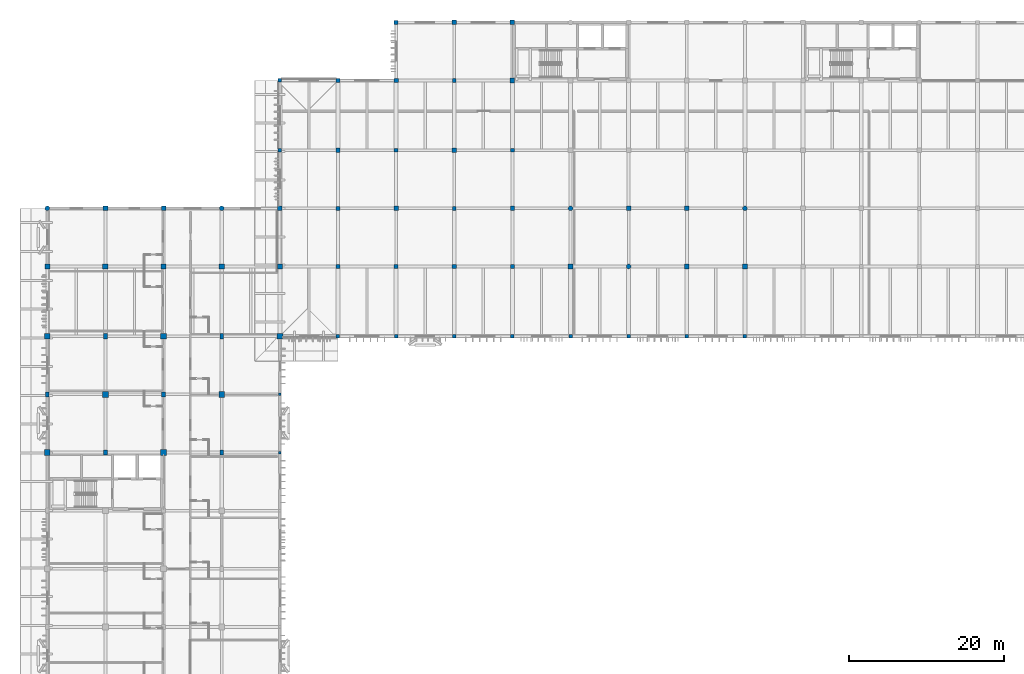
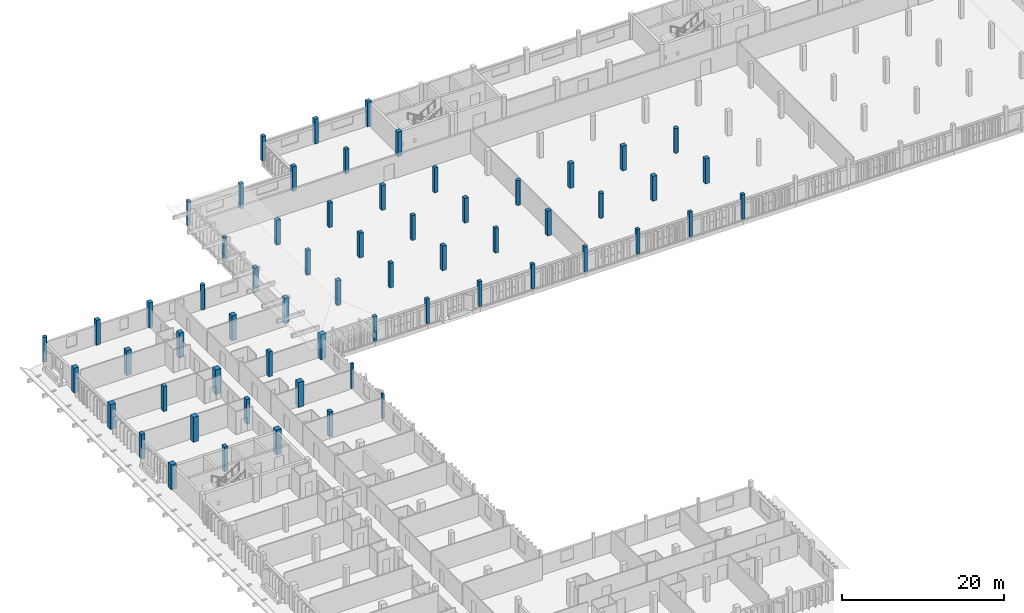
# One storey, part 4 of 43: 62 columns.
"""IFC4 building model written with IfcOpenShell, lengths in metres."""

from ifc_helpers import new_model, si_unit, direction, frame, origin, origin_2d, place, context, subcontext, project, spatial, rectangle, circle, extrude, material, material_profile, profile_set, type_object, element, save


model = new_model("IFC4")

# Units and contexts
model_context = context("Model", 3, precision=1e-05, world=origin(), true_north=direction((0.0, 1.0)))
body_context = subcontext(model_context, "Body", "Model", "MODEL_VIEW")
ifc_project = project(units=[si_unit("LENGTHUNIT", "METRE"), si_unit("AREAUNIT", "SQUARE_METRE"), si_unit("VOLUMEUNIT", "CUBIC_METRE"), si_unit("PLANEANGLEUNIT", "RADIAN"), si_unit("MASSUNIT", "GRAM", prefix="KILO")], contexts=[model_context])

# Site, building, storey
site_placement = place(None, origin())
site = spatial("IfcSite", under=ifc_project, at=site_placement, CompositionType="ELEMENT")
building_placement = place(site_placement, origin())
building = spatial("IfcBuilding", under=site, at=building_placement, Name="Dalvernix Boulevard General Hospital", CompositionType="ELEMENT")
storey_placement = place(building_placement, frame((0.0, 0.0, 14.10009765625)))
storey = spatial("IfcBuildingStorey", under=building, at=storey_placement, Name="L03", CompositionType="ELEMENT", Elevation=14.10009765625)

# Columns
ifc_material_1 = material(Name="Concrete C40/50", Category="concrete")
ifc_material_profile_1 = material_profile(ifc_material_1, rectangle(XDim=0.75, YDim=0.75, at=origin_2d()), Name="RC 750x750")
ifc_profile_set_1 = profile_set([ifc_material_profile_1], Name="Concrete C40/50")
column_type_1 = type_object("IfcColumnType", Name="COL-C-04-E", PredefinedType="COLUMN", material=ifc_profile_set_1)
for number, where, z_axis, x_axis, name in (
    (1, (0.0, 61.5, 0.0), (0.0, 0.0, 1.0), (1.0, 0.0, 0.0), "L03 column 1J"),
    (2, (0.0, 76.5, 0.0), (0.0, 0.0, 1.0), (1.0, 0.0, 0.0), "L03 column 1L"),
    (3, (30.0, 76.5, 0.0), (0.0, 0.0, 1.0), (1.0, 0.0, 0.0), "L03 column 5L"),
):
    element("IfcColumn", number, at=place(storey_placement, frame(where, z_axis=z_axis, x_axis=x_axis)), inside=storey, type_object=column_type_1, Name=name, PredefinedType="COLUMN", context=body_context, shape_type="SweptSolid", body=[
        extrude(rectangle(XDim=0.75, YDim=0.75, at=origin_2d()), origin(), (0.0, 0.0, 1.0), 3.75),
    ])
ifc_material_profile_2 = material_profile(ifc_material_1, rectangle(XDim=0.75, YDim=0.75, at=origin_2d()), Name="RC 750x750")
ifc_profile_set_2 = profile_set([ifc_material_profile_2], Name="Concrete C40/50")
column_type_2 = type_object("IfcColumnType", Name="COL-C-04-I", PredefinedType="COLUMN", material=ifc_profile_set_2)
for number, where, z_axis, x_axis, name in (
    (4, (7.5, 69.0, 0.0), (0.0, 0.0, 1.0), (1.0, 0.0, 0.0), "L03 column 2K"),
    (5, (15.0, 61.5, 0.0), (0.0, 0.0, 1.0), (1.0, 0.0, 0.0), "L03 column 3J"),
    (6, (15.0, 76.5, 0.0), (0.0, 0.0, 1.0), (1.0, 0.0, 0.0), "L03 column 3L"),
    (7, (22.5, 69.0, 0.0), (0.0, 0.0, 1.0), (1.0, 0.0, 0.0), "L03 column 4K"),
):
    element("IfcColumn", number, at=place(storey_placement, frame(where, z_axis=z_axis, x_axis=x_axis)), inside=storey, type_object=column_type_2, Name=name, PredefinedType="COLUMN", context=body_context, shape_type="SweptSolid", body=[
        extrude(rectangle(XDim=0.75, YDim=0.75, at=origin_2d()), origin(), (0.0, 0.0, 1.0), 3.75),
    ])
ifc_material_profile_3 = material_profile(ifc_material_1, rectangle(XDim=0.699951171875, YDim=0.699951171875, at=origin_2d()), Name="RC 700x700")
ifc_profile_set_3 = profile_set([ifc_material_profile_3], Name="Concrete C40/50")
column_type_3 = type_object("IfcColumnType", Name="COL-C-05-I", PredefinedType="COLUMN", material=ifc_profile_set_3)
for number, where, z_axis, x_axis, name in (
    (8, (7.5, 85.5, 0.0), (0.0, 0.0, 1.0), (1.0, 0.0, 0.0), "L03 column 2M"),
    (9, (22.5, 85.5, 0.0), (0.0, 0.0, 1.0), (1.0, 0.0, 0.0), "L03 column 4M"),
):
    element("IfcColumn", number, at=place(storey_placement, frame(where, z_axis=z_axis, x_axis=x_axis)), inside=storey, type_object=column_type_3, Name=name, PredefinedType="COLUMN", context=body_context, shape_type="SweptSolid", body=[
        extrude(rectangle(XDim=0.699951171875, YDim=0.699951171875, at=origin_2d()), origin(), (0.0, 0.0, 1.0), 3.75),
    ])
ifc_material_profile_4 = material_profile(ifc_material_1, rectangle(XDim=0.64990234375, YDim=0.64990234375, at=origin_2d()), Name="RC 650x650")
ifc_profile_set_4 = profile_set([ifc_material_profile_4], Name="Concrete C40/50")
column_type_4 = type_object("IfcColumnType", Name="COL-C-06-E", PredefinedType="COLUMN", material=ifc_profile_set_4)
column_1_placement = place(storey_placement, frame((0.0, 85.5, 0.0), z_axis=(0.0, 0.0, 1.0), x_axis=(1.0, 0.0, 0.0)))
element("IfcColumn", 10, at=column_1_placement, inside=storey, type_object=column_type_4, Name="L03 column 1M", PredefinedType="COLUMN", context=body_context, shape_type="SweptSolid", body=[
    extrude(rectangle(XDim=0.64990234375, YDim=0.64990234375, at=origin_2d()), origin(), (0.0, 0.0, 1.0), 3.75),
])
ifc_material_profile_5 = material_profile(ifc_material_1, rectangle(XDim=0.64990234375, YDim=0.64990234375, at=origin_2d()), Name="RC 650x650")
ifc_profile_set_5 = profile_set([ifc_material_profile_5], Name="Concrete C40/50")
column_type_5 = type_object("IfcColumnType", Name="COL-C-06-I", PredefinedType="COLUMN", material=ifc_profile_set_5)
for number, where, z_axis, x_axis, name in (
    (11, (15.0, 85.5, 0.0), (0.0, 0.0, 1.0), (1.0, 0.0, 0.0), "L03 column 3M"),
    (12, (30.0, 85.5, 0.0), (0.0, 0.0, 1.0), (1.0, 0.0, 0.0), "L03 column 5M"),
):
    element("IfcColumn", number, at=place(storey_placement, frame(where, z_axis=z_axis, x_axis=x_axis)), inside=storey, type_object=column_type_5, Name=name, PredefinedType="COLUMN", context=body_context, shape_type="SweptSolid", body=[
        extrude(rectangle(XDim=0.64990234375, YDim=0.64990234375, at=origin_2d()), origin(), (0.0, 0.0, 1.0), 3.75),
    ])
ifc_material_profile_6 = material_profile(ifc_material_1, rectangle(XDim=0.60009765625, YDim=0.60009765625, at=origin_2d()), Name="RC 600x600")
ifc_profile_set_6 = profile_set([ifc_material_profile_6], Name="Concrete C40/50")
column_type_6 = type_object("IfcColumnType", Name="COL-C-07-E", PredefinedType="COLUMN", material=ifc_profile_set_6)
for number, where, z_axis, x_axis, name in (
    (13, (7.5, 93.0, 0.0), (0.0, 0.0, 1.0), (1.0, 0.0, 0.0), "L03 column 2N"),
    (14, (15.0, 93.0, 0.0), (0.0, 0.0, 1.0), (1.0, 0.0, 0.0), "L03 column 3N"),
    (15, (30.0, 93.0, 0.0), (0.0, 0.0, 1.0), (1.0, 0.0, 0.0), "L03 column 5N"),
    (16, (60.0, 117.0, 0.0), (0.0, 0.0, 1.0), (1.0, 0.0, 0.0), "L03 column 9R"),
):
    element("IfcColumn", number, at=place(storey_placement, frame(where, z_axis=z_axis, x_axis=x_axis)), inside=storey, type_object=column_type_6, Name=name, PredefinedType="COLUMN", context=body_context, shape_type="SweptSolid", body=[
        extrude(rectangle(XDim=0.60009765625, YDim=0.60009765625, at=origin_2d()), origin(), (0.0, 0.0, 1.0), 3.75),
    ])
ifc_material_profile_7 = material_profile(ifc_material_1, rectangle(XDim=0.60009765625, YDim=0.60009765625, at=origin_2d()), Name="RC 600x600")
ifc_profile_set_7 = profile_set([ifc_material_profile_7], Name="Concrete C40/50")
column_type_7 = type_object("IfcColumnType", Name="COL-C-07-I", PredefinedType="COLUMN", material=ifc_profile_set_7)
for number, where, z_axis, x_axis, name in (
    (17, (60.0, 109.5, 0.0), (0.0, 0.0, 1.0), (1.0, 0.0, 0.0), "L03 column 9Q"),
    (18, (67.5, 85.5, 0.0), (0.0, 0.0, 1.0), (1.0, 0.0, 0.0), "L03 column 10M"),
    (19, (75.0, 93.0, 0.0), (0.0, 0.0, 1.0), (1.0, 0.0, 0.0), "L03 column 11N"),
    (20, (82.5, 85.5, 0.0), (0.0, 0.0, 1.0), (1.0, 0.0, 0.0), "L03 column 12M"),
    (21, (82.5, 93.0, 0.0), (0.0, 0.0, 1.0), (1.0, 0.0, 0.0), "L03 column 12N"),
    (22, (90.0, 85.5, 0.0), (0.0, 0.0, 1.0), (1.0, 0.0, 0.0), "L03 column 13M"),
):
    element("IfcColumn", number, at=place(storey_placement, frame(where, z_axis=z_axis, x_axis=x_axis)), inside=storey, type_object=column_type_7, Name=name, PredefinedType="COLUMN", context=body_context, shape_type="SweptSolid", body=[
        extrude(rectangle(XDim=0.60009765625, YDim=0.60009765625, at=origin_2d()), origin(), (0.0, 0.0, 1.0), 3.75),
    ])
ifc_material_profile_8 = material_profile(ifc_material_1, rectangle(XDim=0.550048828125, YDim=0.550048828125, at=origin_2d()), Name="RC 550x550")
ifc_profile_set_8 = profile_set([ifc_material_profile_8], Name="Concrete C40/50")
column_type_8 = type_object("IfcColumnType", Name="COL-C-08-E", PredefinedType="COLUMN", material=ifc_profile_set_8)
for number, where, z_axis, x_axis, name in (
    (23, (45.0, 109.5, 0.0), (0.0, 0.0, 1.0), (1.0, 0.0, 0.0), "L03 column 7Q"),
    (24, (52.5, 117.0, 0.0), (0.0, 0.0, 1.0), (1.0, 0.0, 0.0), "L03 column 8R"),
):
    element("IfcColumn", number, at=place(storey_placement, frame(where, z_axis=z_axis, x_axis=x_axis)), inside=storey, type_object=column_type_8, Name=name, PredefinedType="COLUMN", context=body_context, shape_type="SweptSolid", body=[
        extrude(rectangle(XDim=0.550048828125, YDim=0.550048828125, at=origin_2d()), origin(), (0.0, 0.0, 1.0), 3.75),
    ])
ifc_material_profile_9 = material_profile(ifc_material_1, rectangle(XDim=0.550048828125, YDim=0.550048828125, at=origin_2d()), Name="RC 550x550")
ifc_profile_set_9 = profile_set([ifc_material_profile_9], Name="Concrete C40/50")
column_type_9 = type_object("IfcColumnType", Name="COL-C-08-I", PredefinedType="COLUMN", material=ifc_profile_set_9)
for number, where, z_axis, x_axis, name in (
    (25, (37.5, 85.5, 0.0), (0.0, 0.0, 1.0), (1.0, 0.0, 0.0), "L03 column 6M"),
    (26, (37.5, 100.5, 0.0), (0.0, 0.0, 1.0), (1.0, 0.0, 0.0), "L03 column 6P"),
    (27, (45.0, 93.0, 0.0), (0.0, 0.0, 1.0), (1.0, 0.0, 0.0), "L03 column 7N"),
    (28, (52.5, 85.5, 0.0), (0.0, 0.0, 1.0), (1.0, 0.0, 0.0), "L03 column 8M"),
    (29, (52.5, 100.5, 0.0), (0.0, 0.0, 1.0), (1.0, 0.0, 0.0), "L03 column 8P"),
    (30, (60.0, 93.0, 0.0), (0.0, 0.0, 1.0), (1.0, 0.0, 0.0), "L03 column 9N"),
):
    element("IfcColumn", number, at=place(storey_placement, frame(where, z_axis=z_axis, x_axis=x_axis)), inside=storey, type_object=column_type_9, Name=name, PredefinedType="COLUMN", context=body_context, shape_type="SweptSolid", body=[
        extrude(rectangle(XDim=0.550048828125, YDim=0.550048828125, at=origin_2d()), origin(), (0.0, 0.0, 1.0), 3.75),
    ])
ifc_material_profile_10 = material_profile(ifc_material_1, rectangle(XDim=0.5, YDim=0.5, at=origin_2d()), Name="RC 500x500")
ifc_profile_set_10 = profile_set([ifc_material_profile_10], Name="Concrete C40/50")
column_type_10 = type_object("IfcColumnType", Name="COL-C-09-E", PredefinedType="COLUMN", material=ifc_profile_set_10)
for number, where, z_axis, x_axis, name in (
    (31, (37.5, 109.5, 0.0), (0.0, 0.0, 1.0), (1.0, 0.0, 0.0), "L03 column 6Q"),
    (32, (45.0, 117.0, 0.0), (0.0, 0.0, 1.0), (1.0, 0.0, 0.0), "L03 column 7R"),
):
    element("IfcColumn", number, at=place(storey_placement, frame(where, z_axis=z_axis, x_axis=x_axis)), inside=storey, type_object=column_type_10, Name=name, PredefinedType="COLUMN", context=body_context, shape_type="SweptSolid", body=[
        extrude(rectangle(XDim=0.5, YDim=0.5, at=origin_2d()), origin(), (0.0, 0.0, 1.0), 3.75),
    ])
ifc_material_profile_11 = material_profile(ifc_material_1, rectangle(XDim=0.5, YDim=0.5, at=origin_2d()), Name="RC 500x500")
ifc_profile_set_11 = profile_set([ifc_material_profile_11], Name="Concrete C40/50")
column_type_11 = type_object("IfcColumnType", Name="COL-C-09-I", PredefinedType="COLUMN", material=ifc_profile_set_11)
for number, where, z_axis, x_axis, name in (
    (33, (37.5, 93.0, 0.0), (0.0, 0.0, 1.0), (1.0, 0.0, 0.0), "L03 column 6N"),
    (34, (45.0, 85.5, 0.0), (0.0, 0.0, 1.0), (1.0, 0.0, 0.0), "L03 column 7M"),
    (35, (45.0, 100.5, 0.0), (0.0, 0.0, 1.0), (1.0, 0.0, 0.0), "L03 column 7P"),
    (36, (52.5, 93.0, 0.0), (0.0, 0.0, 1.0), (1.0, 0.0, 0.0), "L03 column 8N"),
    (37, (52.5, 109.5, 0.0), (0.0, 0.0, 1.0), (1.0, 0.0, 0.0), "L03 column 8Q"),
    (38, (60.0, 85.5, 0.0), (0.0, 0.0, 1.0), (1.0, 0.0, 0.0), "L03 column 9M"),
    (39, (60.0, 100.5, 0.0), (0.0, 0.0, 1.0), (1.0, 0.0, 0.0), "L03 column 9P"),
):
    element("IfcColumn", number, at=place(storey_placement, frame(where, z_axis=z_axis, x_axis=x_axis)), inside=storey, type_object=column_type_11, Name=name, PredefinedType="COLUMN", context=body_context, shape_type="SweptSolid", body=[
        extrude(rectangle(XDim=0.5, YDim=0.5, at=origin_2d()), origin(), (0.0, 0.0, 1.0), 3.75),
    ])
ifc_material_profile_12 = material_profile(ifc_material_1, rectangle(XDim=0.449951171875, YDim=0.449951171875, at=origin_2d()), Name="RC 450x450")
ifc_profile_set_12 = profile_set([ifc_material_profile_12], Name="Concrete C40/50")
column_type_12 = type_object("IfcColumnType", Name="COL-C-10-E", PredefinedType="COLUMN", material=ifc_profile_set_12)
for number, where, z_axis, x_axis, name in (
    (40, (30.0, 100.5, 0.0), (0.0, 0.0, 1.0), (1.0, 0.0, 0.0), "L03 column 5P"),
    (41, (30.0, 109.5, 0.0), (0.0, 0.0, 1.0), (1.0, 0.0, 0.0), "L03 column 5Q"),
    (42, (37.5, 76.5, 0.0), (0.0, 0.0, 1.0), (1.0, 0.0, 0.0), "L03 column 6L"),
    (43, (45.0, 76.5, 0.0), (0.0, 0.0, 1.0), (1.0, 0.0, 0.0), "L03 column 7L"),
    (44, (52.5, 76.5, 0.0), (0.0, 0.0, 1.0), (1.0, 0.0, 0.0), "L03 column 8L"),
    (45, (60.0, 76.5, 0.0), (0.0, 0.0, 1.0), (1.0, 0.0, 0.0), "L03 column 9L"),
    (46, (67.5, 76.5, 0.0), (0.0, 0.0, 1.0), (1.0, 0.0, 0.0), "L03 column 10L"),
    (47, (75.0, 76.5, 0.0), (0.0, 0.0, 1.0), (1.0, 0.0, 0.0), "L03 column 11L"),
    (48, (82.5, 76.5, 0.0), (0.0, 0.0, 1.0), (1.0, 0.0, 0.0), "L03 column 12L"),
    (49, (90.0, 76.5, 0.0), (0.0, 0.0, 1.0), (1.0, 0.0, 0.0), "L03 column 13L"),
):
    element("IfcColumn", number, at=place(storey_placement, frame(where, z_axis=z_axis, x_axis=x_axis)), inside=storey, type_object=column_type_12, Name=name, PredefinedType="COLUMN", context=body_context, shape_type="SweptSolid", body=[
        extrude(rectangle(XDim=0.449951171875, YDim=0.449951171875, at=origin_2d()), origin(), (0.0, 0.0, 1.0), 3.75),
    ])
ifc_material_profile_13 = material_profile(ifc_material_1, rectangle(XDim=0.5, YDim=0.64990234375, at=origin_2d()), Name="RC 500x650")
ifc_profile_set_13 = profile_set([ifc_material_profile_13], Name="Concrete C40/50")
column_type_13 = type_object("IfcColumnType", Name="COL-C-12-E", PredefinedType="COLUMN", material=ifc_profile_set_13)
column_2_placement = place(storey_placement, frame((0.0, 69.0, 0.0), z_axis=(0.0, 0.0, 1.0), x_axis=(1.0, 0.0, 0.0)))
element("IfcColumn", 50, at=column_2_placement, inside=storey, type_object=column_type_13, Name="L03 column 1K", PredefinedType="COLUMN", context=body_context, shape_type="SweptSolid", body=[
    extrude(rectangle(XDim=0.5, YDim=0.64990234375, at=origin_2d()), origin(), (0.0, 0.0, 1.0), 3.75),
])
ifc_material_profile_14 = material_profile(ifc_material_1, rectangle(XDim=0.5, YDim=0.64990234375, at=origin_2d()), Name="RC 500x650")
ifc_profile_set_14 = profile_set([ifc_material_profile_14], Name="Concrete C40/50")
column_type_14 = type_object("IfcColumnType", Name="COL-C-12-I", PredefinedType="COLUMN", material=ifc_profile_set_14)
for number, where, z_axis, x_axis, name in (
    (51, (7.5, 61.5, 0.0), (0.0, 0.0, 1.0), (1.0, 0.0, 0.0), "L03 column 2J"),
    (52, (7.5, 76.5, 0.0), (0.0, 0.0, 1.0), (1.0, 0.0, 0.0), "L03 column 2L"),
    (53, (15.0, 69.0, 0.0), (0.0, 0.0, 1.0), (1.0, 0.0, 0.0), "L03 column 3K"),
    (54, (22.5, 61.5, 0.0), (0.0, 0.0, 1.0), (1.0, 0.0, 0.0), "L03 column 4J"),
    (55, (22.5, 76.5, 0.0), (0.0, 0.0, 1.0), (1.0, 0.0, 0.0), "L03 column 4L"),
):
    element("IfcColumn", number, at=place(storey_placement, frame(where, z_axis=z_axis, x_axis=x_axis)), inside=storey, type_object=column_type_14, Name=name, PredefinedType="COLUMN", context=body_context, shape_type="SweptSolid", body=[
        extrude(rectangle(XDim=0.5, YDim=0.64990234375, at=origin_2d()), origin(), (0.0, 0.0, 1.0), 3.75),
    ])
ifc_material_profile_15 = material_profile(ifc_material_1, circle(Radius=0.300048828125, at=origin_2d()), Name="RC D600")
ifc_profile_set_15 = profile_set([ifc_material_profile_15], Name="Concrete C40/50")
column_type_15 = type_object("IfcColumnType", Name="COL-C-15-E", PredefinedType="COLUMN", material=ifc_profile_set_15)
for number, where, z_axis, x_axis, name in (
    (56, (0.0, 93.0, 0.0), (0.0, 0.0, 1.0), (1.0, 0.0, 0.0), "L03 column 1N"),
    (57, (22.5, 93.0, 0.0), (0.0, 0.0, 1.0), (1.0, 0.0, 0.0), "L03 column 4N"),
):
    element("IfcColumn", number, at=place(storey_placement, frame(where, z_axis=z_axis, x_axis=x_axis)), inside=storey, type_object=column_type_15, Name=name, PredefinedType="COLUMN", context=body_context, shape_type="SweptSolid", body=[
        extrude(circle(Radius=0.300048828125, at=origin_2d()), origin(), (0.0, 0.0, 1.0), 3.75),
    ])
ifc_material_profile_16 = material_profile(ifc_material_1, circle(Radius=0.300048828125, at=origin_2d()), Name="RC D600")
ifc_profile_set_16 = profile_set([ifc_material_profile_16], Name="Concrete C40/50")
column_type_16 = type_object("IfcColumnType", Name="COL-C-15-I", PredefinedType="COLUMN", material=ifc_profile_set_16)
for number, where, z_axis, x_axis, name in (
    (58, (67.5, 93.0, 0.0), (0.0, 0.0, 1.0), (1.0, 0.0, 0.0), "L03 column 10N"),
    (59, (75.0, 85.5, 0.0), (0.0, 0.0, 1.0), (1.0, 0.0, 0.0), "L03 column 11M"),
    (60, (90.0, 93.0, 0.0), (0.0, 0.0, 1.0), (1.0, 0.0, 0.0), "L03 column 13N"),
):
    element("IfcColumn", number, at=place(storey_placement, frame(where, z_axis=z_axis, x_axis=x_axis)), inside=storey, type_object=column_type_16, Name=name, PredefinedType="COLUMN", context=body_context, shape_type="SweptSolid", body=[
        extrude(circle(Radius=0.300048828125, at=origin_2d()), origin(), (0.0, 0.0, 1.0), 3.75),
    ])
ifc_material_2 = material(Name="Glulam GL28h", Category="wood")
ifc_material_profile_17 = material_profile(ifc_material_2, rectangle(XDim=0.320068359375, YDim=0.320068359375, at=origin_2d()), Name="GL28h 320x320")
ifc_profile_set_17 = profile_set([ifc_material_profile_17], Name="Glulam GL28h")
column_type_17 = type_object("IfcColumnType", Name="COL-C-20-E", PredefinedType="COLUMN", material=ifc_profile_set_17)
for number, where, z_axis, x_axis, name in (
    (61, (30.0, 61.5, 0.0), (0.0, 0.0, 1.0), (1.0, 0.0, 0.0), "L03 column 5J"),
    (62, (30.0, 69.0, 0.0), (0.0, 0.0, 1.0), (1.0, 0.0, 0.0), "L03 column 5K"),
):
    element("IfcColumn", number, at=place(storey_placement, frame(where, z_axis=z_axis, x_axis=x_axis)), inside=storey, type_object=column_type_17, Name=name, PredefinedType="COLUMN", context=body_context, shape_type="SweptSolid", body=[
        extrude(rectangle(XDim=0.320068359375, YDim=0.320068359375, at=origin_2d()), origin(), (0.0, 0.0, 1.0), 3.75),
    ])

save(model, "model.ifc")
